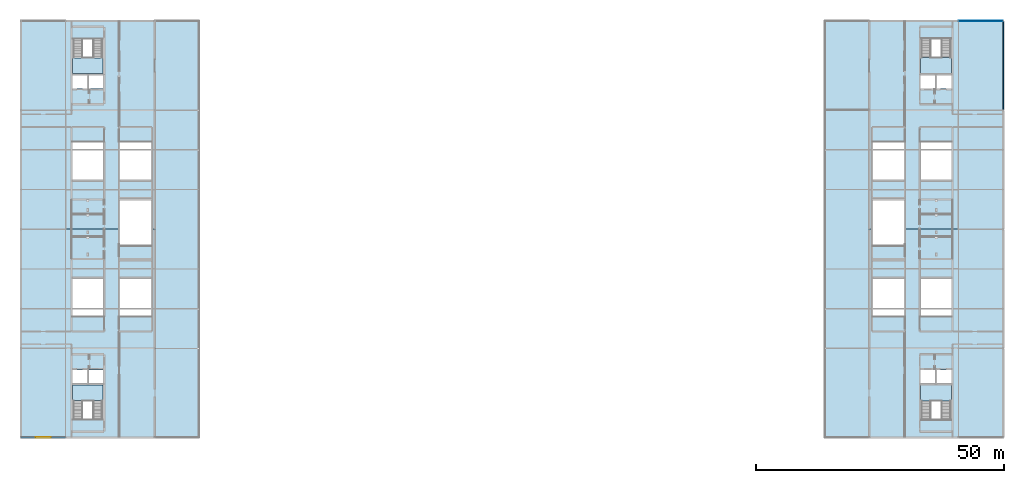
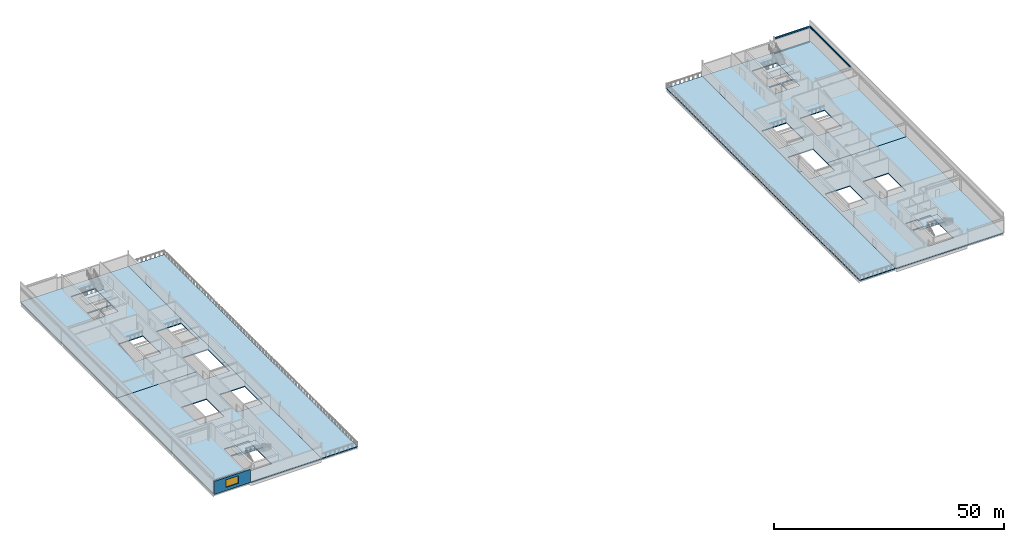
# One storey, part 13 of 23: 10 slabs, 3 beams, 1 wall, 1 window, 1 opening, 4 elements without a shape of their own.
"""IFC4 building model written with IfcOpenShell, lengths in metres."""

from ifc_helpers import new_model, si_unit, direction, frame, frame_2d, origin, origin_2d, place, context, subcontext, project, spatial, polyline, rectangle, hollow_rectangle, i_section, outline, extrude, material, layer, layer_set, material_profile, profile_set, type_object, element, fill, aggregate, save


model = new_model("IFC4")

# Units and contexts
model_context = context("Model", 3, precision=1e-05, world=origin(), true_north=direction((0.0, 1.0)))
body_context = subcontext(model_context, "Body", "Model", "MODEL_VIEW")
ifc_project = project(units=[si_unit("LENGTHUNIT", "METRE"), si_unit("AREAUNIT", "SQUARE_METRE"), si_unit("VOLUMEUNIT", "CUBIC_METRE"), si_unit("PLANEANGLEUNIT", "RADIAN"), si_unit("MASSUNIT", "GRAM", prefix="KILO")], contexts=[model_context])

# Site, building, storey
site_placement = place(None, origin())
site = spatial("IfcSite", under=ifc_project, at=site_placement, CompositionType="ELEMENT")
building_placement = place(site_placement, origin())
building = spatial("IfcBuilding", under=site, at=building_placement, Name="Kisiwana Market Hall", CompositionType="ELEMENT")
storey_placement = place(building_placement, frame((0.0, 0.0, 65.699951171875)))
storey = spatial("IfcBuildingStorey", under=building, at=storey_placement, Name="L15", CompositionType="ELEMENT", Elevation=65.699951171875)

# Beams
ifc_material_1 = material(Name="Steel S355", Category="steel")
ifc_material_profile_1 = material_profile(ifc_material_1, i_section(OverallWidth=0.19140625, OverallDepth=0.4599609375, WebThickness=0.010009765625, FlangeThickness=0.01611328125, at=origin_2d()), Name="UB 457x191x82")
ifc_profile_set_1 = profile_set([ifc_material_profile_1], Name="Steel S355")
beam_type_1 = type_object("IfcBeamType", Name="BM-GIRD-UB457H", PredefinedType="BEAM", material=ifc_profile_set_1)
beam_1_placement = place(storey_placement, frame((189.098876953125, 102.0, 3.677978515625), z_axis=(1.0, 0.0, 0.0), x_axis=(0.0, 1.0, 0.0)))
element("IfcBeam", 1, at=beam_1_placement, inside=storey, type_object=beam_type_1, Name="Roof girder B-2895", PredefinedType="BEAM", context=body_context, shape_type="SweptSolid", body=[
    extrude(i_section(OverallWidth=0.19140625, OverallDepth=0.4599609375, WebThickness=0.010009765625, FlangeThickness=0.01611328125, at=origin_2d()), origin(), (0.0, 0.0, 1.0), 8.80224609375),
])
beam_2_placement = place(storey_placement, frame((198.0, 84.100830078125, 3.677978515625), z_axis=(0.0, 1.0, 0.0), x_axis=(-1.0, 0.0, 0.0)))
element("IfcBeam", 2, at=beam_2_placement, inside=storey, type_object=beam_type_1, Name="Roof girder B-2899", PredefinedType="BEAM", context=body_context, shape_type="SweptSolid", body=[
    extrude(i_section(OverallWidth=0.19140625, OverallDepth=0.4599609375, WebThickness=0.010009765625, FlangeThickness=0.01611328125, at=origin_2d()), origin(), (0.0, 0.0, 1.0), 17.79833984375),
])
ifc_material_2 = material(Name="Steel S355", Category="steel")
ifc_material_profile_2 = material_profile(ifc_material_2, hollow_rectangle(XDim=0.10009765625, YDim=0.199951171875, WallThickness=0.008056640625, at=origin_2d()), Name="RHS 200x100x8.0")
ifc_profile_set_2 = profile_set([ifc_material_profile_2], Name="Steel S355")
beam_type_2 = type_object("IfcBeamType", Name="BM-SPAN-RHS200", PredefinedType="SPANDREL", material=ifc_profile_set_2)
beam_3_placement = place(storey_placement, frame((189.098876953125, 102.0, -0.344970703125), z_axis=(1.0, 0.0, 0.0), x_axis=(0.0, 1.0, 0.0)))
element("IfcBeam", 3, at=beam_3_placement, inside=storey, type_object=beam_type_2, Name="Floor beam B-2867", PredefinedType="SPANDREL", context=body_context, shape_type="SweptSolid", body=[
    extrude(hollow_rectangle(XDim=0.10009765625, YDim=0.199951171875, WallThickness=0.008056640625, at=origin_2d()), origin(), (0.0, 0.0, 1.0), 8.80224609375),
])

# Stair, slab
ifc_material_3 = material(Name="Concrete C32/40", Category="concrete")
stair_type = type_object("IfcStairType", Name="ST-TWR-4200", PredefinedType="TWO_STRAIGHT_RUN_STAIR", material=ifc_material_3)
stair_1_placement = place(storey_placement, origin())
stair_1 = element("IfcStair", 4, at=stair_1_placement, inside=storey, type_object=stair_type, Name="Escape stair ST-W2-L15", PredefinedType="TWO_STRAIGHT_RUN_STAIR")
ifc_material_4 = material(Name="Concrete C32/40", Category="concrete")
ifc_layer_1 = layer(ifc_material_4, 0.239990234375)
ifc_layer_set_1 = layer_set([ifc_layer_1], Name="SL-LANDING-160")
slab_type_1 = type_object("IfcSlabType", Name="SL-LANDING-160", PredefinedType="LANDING", material=ifc_layer_set_1)
slab_1_placement = place(storey_placement, frame((0.0, 0.0, 1.860107421875)))
slab_1 = element("IfcSlab", 5, at=slab_1_placement, type_object=slab_type_1, Name="ST-W2-L15 landing 1 S-463", PredefinedType="LANDING", context=body_context, shape_type="SweptSolid", body=[
    extrude(outline(polyline([(10.405029296875, 25.444091796875), (16.594970703125, 25.444091796875), (16.594970703125, 28.64501953125), (10.405029296875, 28.64501953125), (10.405029296875, 25.444091796875)])), origin(), (0.0, 0.0, 1.0), 0.239990234375),
])
aggregate(stair_1, [slab_1])

stair_2_placement = place(storey_placement, origin())
stair_2 = element("IfcStair", 6, at=stair_2_placement, inside=storey, type_object=stair_type, Name="Escape stair ST-W1-L15", PredefinedType="TWO_STRAIGHT_RUN_STAIR")
slab_2_placement = place(storey_placement, frame((0.0, 0.0, 1.860107421875)))
slab_2 = element("IfcSlab", 7, at=slab_2_placement, type_object=slab_type_1, Name="ST-W1-L15 landing 1 S-462", PredefinedType="LANDING", context=body_context, shape_type="SweptSolid", body=[
    extrude(outline(polyline([(10.405029296875, 91.35498046875), (16.594970703125, 91.35498046875), (16.594970703125, 94.555908203125), (10.405029296875, 94.555908203125), (10.405029296875, 91.35498046875)])), origin(), (0.0, 0.0, 1.0), 0.239990234375),
])
aggregate(stair_2, [slab_2])

stair_3_placement = place(storey_placement, origin())
stair_3 = element("IfcStair", 8, at=stair_3_placement, inside=storey, type_object=stair_type, Name="Escape stair ST-E2-L15", PredefinedType="TWO_STRAIGHT_RUN_STAIR")
slab_3_placement = place(storey_placement, frame((0.0, 0.0, 1.860107421875)))
slab_3 = element("IfcSlab", 9, at=slab_3_placement, type_object=slab_type_1, Name="ST-E2-L15 landing 1 S-461", PredefinedType="LANDING", context=body_context, shape_type="SweptSolid", body=[
    extrude(outline(polyline([(181.3798828125, 25.4189453125), (187.6201171875, 25.4189453125), (187.6201171875, 28.6201171875), (181.3798828125, 28.6201171875), (181.3798828125, 25.4189453125)])), origin(), (0.0, 0.0, 1.0), 0.239990234375),
])
aggregate(stair_3, [slab_3])

stair_4_placement = place(storey_placement, origin())
stair_4 = element("IfcStair", 10, at=stair_4_placement, inside=storey, type_object=stair_type, Name="Escape stair ST-E1-L15", PredefinedType="TWO_STRAIGHT_RUN_STAIR")
slab_4_placement = place(storey_placement, frame((0.0, 0.0, 1.860107421875)))
slab_4 = element("IfcSlab", 11, at=slab_4_placement, type_object=slab_type_1, Name="ST-E1-L15 landing 1 S-460", PredefinedType="LANDING", context=body_context, shape_type="SweptSolid", body=[
    extrude(outline(polyline([(181.3798828125, 91.3798828125), (187.6201171875, 91.3798828125), (187.6201171875, 94.5810546875), (181.3798828125, 94.5810546875), (181.3798828125, 91.3798828125)])), origin(), (0.0, 0.0, 1.0), 0.239990234375),
])
aggregate(stair_4, [slab_4])

# Slabs
ifc_material_5 = material(Name="Concrete C32/40", Category="concrete")
ifc_layer_2 = layer(ifc_material_5, 0.2451171875)
ifc_layer_set_2 = layer_set([ifc_layer_2], Name="SL-OFF-175")
slab_type_2 = type_object("IfcSlabType", Name="SL-OFF-175", PredefinedType="FLOOR", material=ifc_layer_set_2)
slab_5_placement = place(storey_placement, frame((0.0, 0.0, -0.244873046875)))
element("IfcSlab", 12, at=slab_5_placement, inside=storey, type_object=slab_type_2, Name="Structural slab S-456", PredefinedType="FLOOR", context=body_context, shape_type="SweptSolid", body=[
    extrude(outline(polyline([(0.0, 18.0), (27.0, 18.0), (27.0, 60.0), (26.239990234375, 60.0), (26.239990234375, 56.659912109375), (19.9599609375, 56.659912109375), (19.9599609375, 60.0), (0.0, 60.0), (0.0, 18.0)]), holes=[polyline([(10.425048828125, 21.675048828125), (16.574951171875, 21.675048828125), (16.574951171875, 28.625), (10.425048828125, 28.625), (10.425048828125, 21.675048828125)]), polyline([(10.425048828125, 28.945068359375), (13.340087890625, 28.945068359375), (13.340087890625, 31.675048828125), (10.425048828125, 31.675048828125), (10.425048828125, 28.945068359375)]), polyline([(13.659912109375, 28.945068359375), (16.574951171875, 28.945068359375), (16.574951171875, 31.675048828125), (13.659912109375, 31.675048828125), (13.659912109375, 28.945068359375)]), polyline([(10.360107421875, 42.3798828125), (16.639892578125, 42.3798828125), (16.639892578125, 50.0400390625), (10.360107421875, 50.0400390625), (10.360107421875, 42.3798828125)]), polyline([(19.9599609375, 42.3798828125), (26.239990234375, 42.3798828125), (26.239990234375, 50.0400390625), (19.9599609375, 50.0400390625), (19.9599609375, 42.3798828125)])]), origin(), (0.0, 0.0, 1.0), 0.244873046875),
])
slab_6_placement = place(storey_placement, frame((0.0, 0.0, -0.244873046875)))
element("IfcSlab", 13, at=slab_6_placement, inside=storey, type_object=slab_type_2, Name="Structural slab S-457", PredefinedType="FLOOR", context=body_context, shape_type="SweptSolid", body=[
    extrude(outline(polyline([(0.0, 60.0), (19.9599609375, 60.0), (19.9599609375, 66.159912109375), (26.239990234375, 66.159912109375), (26.239990234375, 60.0), (27.0, 60.0), (27.0, 102.0), (0.0, 102.0), (0.0, 60.0)]), holes=[polyline([(10.425048828125, 91.375), (16.574951171875, 91.375), (16.574951171875, 98.324951171875), (10.425048828125, 98.324951171875), (10.425048828125, 91.375)]), polyline([(10.425048828125, 88.324951171875), (13.340087890625, 88.324951171875), (13.340087890625, 91.054931640625), (10.425048828125, 91.054931640625), (10.425048828125, 88.324951171875)]), polyline([(13.659912109375, 88.324951171875), (16.574951171875, 88.324951171875), (16.574951171875, 91.054931640625), (13.659912109375, 91.054931640625), (13.659912109375, 88.324951171875)]), polyline([(10.360107421875, 69.9599609375), (16.639892578125, 69.9599609375), (16.639892578125, 77.6201171875), (10.360107421875, 77.6201171875), (10.360107421875, 69.9599609375)]), polyline([(19.9599609375, 69.9599609375), (26.239990234375, 69.9599609375), (26.239990234375, 77.6201171875), (19.9599609375, 77.6201171875), (19.9599609375, 69.9599609375)])]), origin(), (0.0, 0.0, 1.0), 0.244873046875),
])
slab_7_placement = place(storey_placement, frame((0.0, 0.0, -0.244873046875)))
element("IfcSlab", 14, at=slab_7_placement, inside=storey, type_object=slab_type_2, Name="Structural slab S-458", PredefinedType="FLOOR", context=body_context, shape_type="SweptSolid", body=[
    extrude(outline(polyline([(171.0, 18.0), (198.0, 18.0), (198.0, 60.0), (178.0400390625, 60.0), (178.0400390625, 56.659912109375), (171.760009765625, 56.659912109375), (171.760009765625, 60.0), (171.0, 60.0), (171.0, 18.0)]), holes=[polyline([(181.39990234375, 21.64990234375), (187.60009765625, 21.64990234375), (187.60009765625, 28.60009765625), (181.39990234375, 28.60009765625), (181.39990234375, 21.64990234375)]), polyline([(181.39990234375, 28.919921875), (184.340087890625, 28.919921875), (184.340087890625, 31.64990234375), (181.39990234375, 31.64990234375), (181.39990234375, 28.919921875)]), polyline([(184.659912109375, 28.919921875), (187.60009765625, 28.919921875), (187.60009765625, 31.64990234375), (184.659912109375, 31.64990234375), (184.659912109375, 28.919921875)]), polyline([(181.360107421875, 42.3798828125), (187.639892578125, 42.3798828125), (187.639892578125, 50.0400390625), (181.360107421875, 50.0400390625), (181.360107421875, 42.3798828125)]), polyline([(171.760009765625, 42.3798828125), (178.0400390625, 42.3798828125), (178.0400390625, 50.0400390625), (171.760009765625, 50.0400390625), (171.760009765625, 42.3798828125)])]), origin(), (0.0, 0.0, 1.0), 0.244873046875),
])
slab_8_placement = place(storey_placement, frame((0.0, 0.0, -0.244873046875)))
element("IfcSlab", 15, at=slab_8_placement, inside=storey, type_object=slab_type_2, Name="Structural slab S-459", PredefinedType="FLOOR", context=body_context, shape_type="SweptSolid", body=[
    extrude(outline(polyline([(171.0, 60.0), (171.760009765625, 60.0), (171.760009765625, 66.159912109375), (178.0400390625, 66.159912109375), (178.0400390625, 60.0), (198.0, 60.0), (198.0, 102.0), (171.0, 102.0), (171.0, 60.0)]), holes=[polyline([(181.39990234375, 91.39990234375), (187.60009765625, 91.39990234375), (187.60009765625, 98.35009765625), (181.39990234375, 98.35009765625), (181.39990234375, 91.39990234375)]), polyline([(181.39990234375, 88.35009765625), (184.340087890625, 88.35009765625), (184.340087890625, 91.080078125), (181.39990234375, 91.080078125), (181.39990234375, 88.35009765625)]), polyline([(184.659912109375, 88.35009765625), (187.60009765625, 88.35009765625), (187.60009765625, 91.080078125), (184.659912109375, 91.080078125), (184.659912109375, 88.35009765625)]), polyline([(181.360107421875, 69.9599609375), (187.639892578125, 69.9599609375), (187.639892578125, 77.6201171875), (181.360107421875, 77.6201171875), (181.360107421875, 69.9599609375)]), polyline([(171.760009765625, 69.9599609375), (178.0400390625, 69.9599609375), (178.0400390625, 77.6201171875), (171.760009765625, 77.6201171875), (171.760009765625, 69.9599609375)])]), origin(), (0.0, 0.0, 1.0), 0.244873046875),
])
ifc_material_6 = material(Name="Concrete C32/40", Category="concrete")
ifc_layer_3 = layer(ifc_material_6, 0.258056640625)
ifc_layer_set_3 = layer_set([ifc_layer_3], Name="SL-TERR-240")
slab_type_3 = type_object("IfcSlabType", Name="SL-TERR-240", PredefinedType="FLOOR", material=ifc_layer_set_3)
slab_9_placement = place(storey_placement, frame((0.0, 0.0, -0.258056640625)))
element("IfcSlab", 16, at=slab_9_placement, inside=storey, type_object=slab_type_3, Name="Exterior terrace slab S-465", PredefinedType="FLOOR", context=body_context, shape_type="SweptSolid", body=[
    extrude(outline(polyline([(27.0, 18.0), (36.0, 18.0), (36.0, 102.0), (27.0, 102.0), (27.0, 18.0)])), origin(), (0.0, 0.0, 1.0), 0.258056640625),
])
slab_10_placement = place(storey_placement, frame((0.0, 0.0, -0.258056640625)))
element("IfcSlab", 17, at=slab_10_placement, inside=storey, type_object=slab_type_3, Name="Exterior terrace slab S-464", PredefinedType="FLOOR", context=body_context, shape_type="SweptSolid", body=[
    extrude(outline(polyline([(162.0, 18.0), (171.0, 18.0), (171.0, 102.0), (162.0, 102.0), (162.0, 18.0)])), origin(), (0.0, 0.0, 1.0), 0.258056640625),
])

# Wall, opening, window
ifc_material_7 = material(Name="Concrete C40/50 precast", Category="concrete")
ifc_layer_4 = layer(ifc_material_7, 0.364990234375)
ifc_layer_set_4 = layer_set([ifc_layer_4], Name="WL-EXT-365")
wall_type = type_object("IfcWallType", Name="WL-EXT-365", PredefinedType="STANDARD", material=ifc_layer_set_4)
wall_placement = place(storey_placement, frame((0.010009765625, 18.0, 0.0), z_axis=(0.0, 0.0, 1.0), x_axis=(1.0, 0.0, 0.0)))
wall = element("IfcWall", 18, at=wall_placement, inside=storey, type_object=wall_type, Name="Exterior wall W-3433", PredefinedType="STANDARD", context=body_context, shape_type="SweptSolid", body=[
    extrude(rectangle(XDim=8.97998046875, YDim=0.364990234375, at=frame_2d((4.489990234375, 0.0))), origin(), (0.0, 0.0, 1.0), 3.447998046875),
])
opening_placement = place(wall_placement, frame((2.93994140625, 0.0, 0.85009765625)))
opening = element("IfcOpeningElement", 19, at=opening_placement, cuts=wall, Name="Opening W-37", PredefinedType="OPENING", context=body_context, shape_type="SweptSolid", body=[
    extrude(rectangle(XDim=3.10009765625, YDim=2.0, at=frame_2d((1.550048828125, 1.0))), frame((0.0, 0.1943359375, 0.0), z_axis=(0.0, -1.0, 0.0), x_axis=(1.0, 0.0, 0.0)), (0.0, 0.0, 1.0), 0.388916015625),
])
ifc_material_8 = material(Name="Double-glazed solar-control low-E IGU", Category="glass")
window_type = type_object("IfcWindowType", Name="WN-TWRC-3100x2000", PartitioningType="SINGLE_PANEL", PredefinedType="WINDOW", material=ifc_material_8)
window_placement = place(opening_placement, origin())
window = element("IfcWindow", 20, at=window_placement, inside=storey, type_object=window_type, Name="Exterior window WN-410", OverallHeight=2.0, OverallWidth=3.10009765625, PartitioningType="SINGLE_PANEL", PredefinedType="WINDOW", context=body_context, shape_type="SweptSolid", body=[
    extrude(rectangle(XDim=3.10009765625, YDim=2.0, at=frame_2d((1.550048828125, 1.0))), frame((0.0, 0.030029296875, 0.0), z_axis=(0.0, -1.0, 0.0), x_axis=(1.0, 0.0, 0.0)), (0.0, 0.0, 1.0), 0.06005859375),
])
fill(opening, window)

save(model, "model.ifc")
